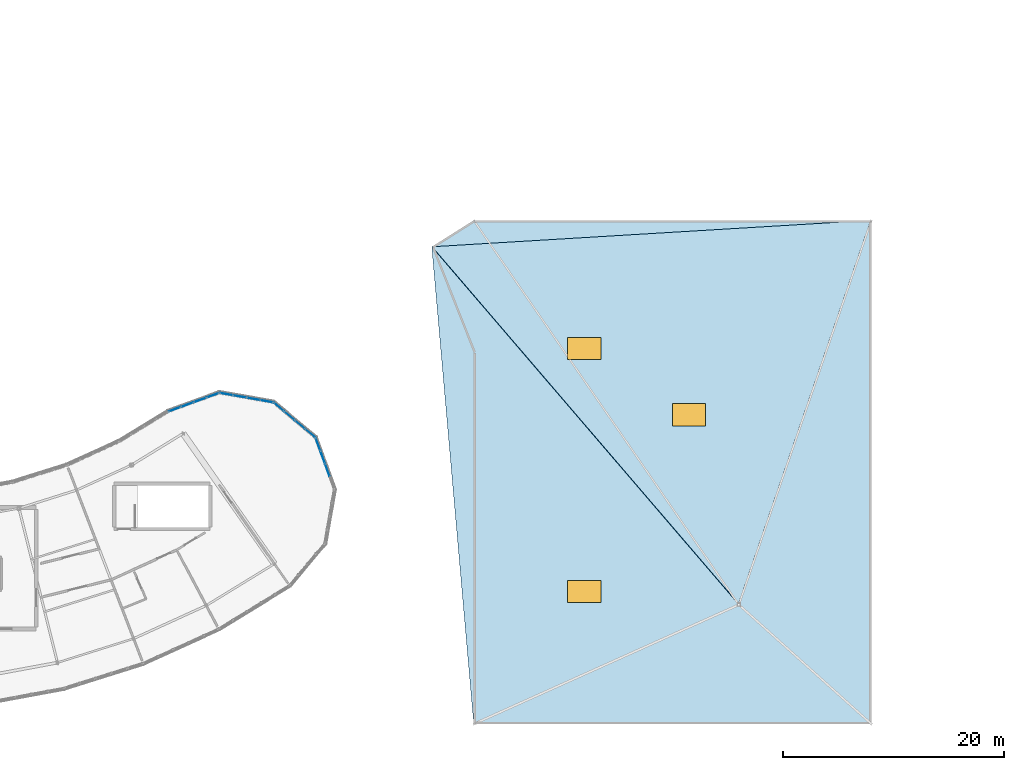
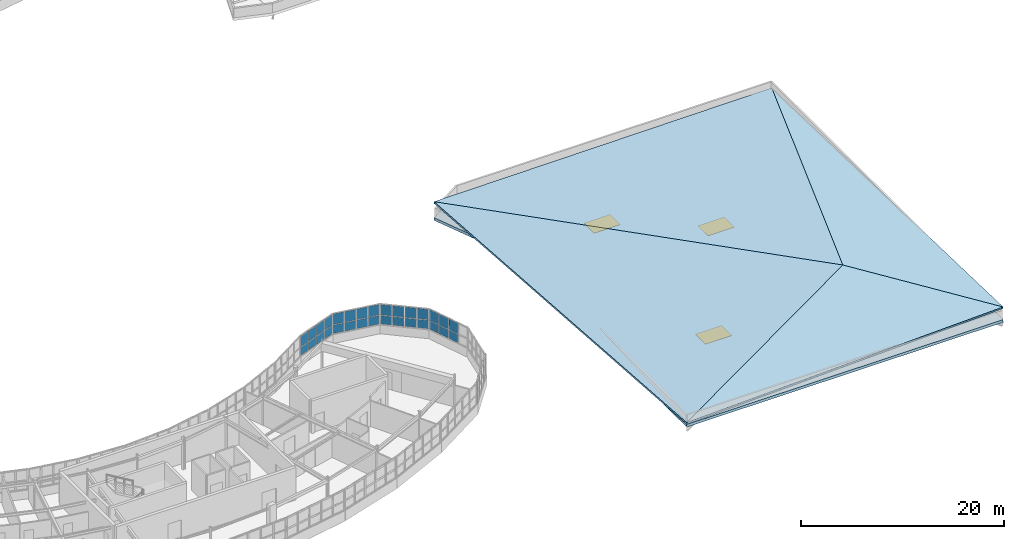
# One storey, part 50 of 79: 30 plates, 5 slabs, 3 windows, 3 openings, 4 elements without a shape of their own.
"""IFC4 building model written with IfcOpenShell, lengths in metres."""

from ifc_helpers import new_model, si_unit, direction, frame, origin, origin_2d, place, context, subcontext, project, spatial, polyline, rectangle, outline, extrude, material, layer, layer_set, type_object, element, fill, aggregate, save


model = new_model("IFC4")

# Units and contexts
model_context = context("Model", 3, precision=1e-05, world=origin(), true_north=direction((0.0, 1.0)))
body_context = subcontext(model_context, "Body", "Model", "MODEL_VIEW")
ifc_project = project(units=[si_unit("LENGTHUNIT", "METRE"), si_unit("AREAUNIT", "SQUARE_METRE"), si_unit("VOLUMEUNIT", "CUBIC_METRE"), si_unit("PLANEANGLEUNIT", "RADIAN"), si_unit("MASSUNIT", "GRAM", prefix="KILO")], contexts=[model_context])

# Site, building, storey
site_placement = place(None, origin())
site = spatial("IfcSite", under=ifc_project, at=site_placement, CompositionType="ELEMENT")
building_placement = place(site_placement, origin())
building = spatial("IfcBuilding", under=site, at=building_placement, Name="Tarnwether General Hospital", CompositionType="ELEMENT")
storey_placement = place(building_placement, frame((0.0, 0.0, 18.300048828125)))
storey = spatial("IfcBuildingStorey", under=building, at=storey_placement, Name="L04", CompositionType="ELEMENT", Elevation=18.300048828125)

# Curtain wall, plates
ifc_material_1 = material(Name="Anodised aluminium", Category="aluminium")
ifc_layer_1 = layer(ifc_material_1, 0.159912109375)
ifc_layer_set_1 = layer_set([ifc_layer_1], Name="Anodised aluminium")
curtain_wall_type = type_object("IfcCurtainWallType", Name="CW-03", PredefinedType="NOTDEFINED", material=ifc_layer_set_1)
curtain_wall_1_placement = place(storey_placement, origin())
curtain_wall_1 = element("IfcCurtainWall", 1, at=curtain_wall_1_placement, inside=storey, type_object=curtain_wall_type, Name="Curtain Wall CWG-L04-1259_291-0199", PredefinedType="NOTDEFINED")
ifc_material_2 = material(Name="Double glazed low-E glass", Category="glass")
ifc_layer_2 = layer(ifc_material_2, 0.028076171875)
ifc_layer_set_2 = layer_set([ifc_layer_2], Name="Double glazed low-E glass")
plate_type_1 = type_object("IfcPlateType", Name="PT-CWP1", PredefinedType="CURTAIN_PANEL", material=ifc_layer_set_2)
plate_1_placement = place(storey_placement, frame((126.372314453125, 28.6943359375, 1.1201171875), z_axis=(0.0, 0.0, 1.0), x_axis=(0.765990176896, -0.64285227611, 0.0)))
plate_1 = element("IfcPlate", 2, at=plate_1_placement, type_object=plate_type_1, Name="CW-03 panel 1.1", PredefinedType="CURTAIN_PANEL", context=body_context, shape_type="SweptSolid", body=[
    extrude(rectangle(XDim=1.137451171875, YDim=0.028076171875, at=origin_2d()), origin(), (0.0, 0.0, 1.0), 1.015380859375),
])
plate_2_placement = place(storey_placement, frame((126.372314453125, 28.6943359375, 2.20556640625), z_axis=(0.0, 0.0, 1.0), x_axis=(0.765990176896, -0.64285227611, 0.0)))
plate_2 = element("IfcPlate", 3, at=plate_2_placement, type_object=plate_type_1, Name="CW-03 panel 1.2", PredefinedType="CURTAIN_PANEL", context=body_context, shape_type="SweptSolid", body=[
    extrude(rectangle(XDim=1.137451171875, YDim=0.028076171875, at=origin_2d()), origin(), (0.0, 0.0, 1.0), 1.264404296875),
])
plate_3_placement = place(storey_placement, frame((127.310546875, 27.906982421875, 1.1201171875), z_axis=(0.0, 0.0, 1.0), x_axis=(0.765990176896, -0.64285227611, 0.0)))
plate_3 = element("IfcPlate", 4, at=plate_3_placement, type_object=plate_type_1, Name="CW-03 panel 2.1", PredefinedType="CURTAIN_PANEL", context=body_context, shape_type="SweptSolid", body=[
    extrude(rectangle(XDim=1.172607421875, YDim=0.028076171875, at=origin_2d()), origin(), (0.0, 0.0, 1.0), 1.015380859375),
])
plate_4_placement = place(storey_placement, frame((127.310546875, 27.906982421875, 2.20556640625), z_axis=(0.0, 0.0, 1.0), x_axis=(0.765990176896, -0.64285227611, 0.0)))
plate_4 = element("IfcPlate", 5, at=plate_4_placement, type_object=plate_type_1, Name="CW-03 panel 2.2", PredefinedType="CURTAIN_PANEL", context=body_context, shape_type="SweptSolid", body=[
    extrude(rectangle(XDim=1.172607421875, YDim=0.028076171875, at=origin_2d()), origin(), (0.0, 0.0, 1.0), 1.264404296875),
])
plate_5_placement = place(storey_placement, frame((128.262451171875, 27.108154296875, 1.1201171875), z_axis=(0.0, 0.0, 1.0), x_axis=(0.765990176896, -0.64285227611, 0.0)))
plate_5 = element("IfcPlate", 6, at=plate_5_placement, type_object=plate_type_1, Name="CW-03 panel 3.1", PredefinedType="CURTAIN_PANEL", context=body_context, shape_type="SweptSolid", body=[
    extrude(rectangle(XDim=1.172607421875, YDim=0.028076171875, at=origin_2d()), origin(), (0.0, 0.0, 1.0), 1.015380859375),
])
plate_6_placement = place(storey_placement, frame((128.262451171875, 27.108154296875, 2.20556640625), z_axis=(0.0, 0.0, 1.0), x_axis=(0.765990176896, -0.64285227611, 0.0)))
plate_6 = element("IfcPlate", 7, at=plate_6_placement, type_object=plate_type_1, Name="CW-03 panel 3.2", PredefinedType="CURTAIN_PANEL", context=body_context, shape_type="SweptSolid", body=[
    extrude(rectangle(XDim=1.172607421875, YDim=0.028076171875, at=origin_2d()), origin(), (0.0, 0.0, 1.0), 1.264404296875),
])
plate_7_placement = place(storey_placement, frame((129.20068359375, 26.320556640625, 1.1201171875), z_axis=(0.0, 0.0, 1.0), x_axis=(0.765990176896, -0.64285227611, 0.0)))
plate_7 = element("IfcPlate", 8, at=plate_7_placement, type_object=plate_type_1, Name="CW-03 panel 4.1", PredefinedType="CURTAIN_PANEL", context=body_context, shape_type="SweptSolid", body=[
    extrude(rectangle(XDim=1.137451171875, YDim=0.028076171875, at=origin_2d()), origin(), (0.0, 0.0, 1.0), 1.015380859375),
])
plate_8_placement = place(storey_placement, frame((129.20068359375, 26.320556640625, 2.20556640625), z_axis=(0.0, 0.0, 1.0), x_axis=(0.765990176896, -0.64285227611, 0.0)))
plate_8 = element("IfcPlate", 9, at=plate_8_placement, type_object=plate_type_1, Name="CW-03 panel 4.2", PredefinedType="CURTAIN_PANEL", context=body_context, shape_type="SweptSolid", body=[
    extrude(rectangle(XDim=1.137451171875, YDim=0.028076171875, at=origin_2d()), origin(), (0.0, 0.0, 1.0), 1.264404296875),
])
aggregate(curtain_wall_1, [plate_1, plate_2, plate_3, plate_4, plate_5, plate_6, plate_7, plate_8])

curtain_wall_2_placement = place(storey_placement, origin())
curtain_wall_2 = element("IfcCurtainWall", 10, at=curtain_wall_2_placement, inside=storey, type_object=curtain_wall_type, Name="Curtain Wall CWG-L04-1210_300-0200", PredefinedType="NOTDEFINED")
plate_9_placement = place(storey_placement, frame((121.61669921875, 29.857421875, 1.114990234375), z_axis=(0.0, 0.0, 1.0), x_axis=(0.984805834268, -0.173659059054, 0.0)))
plate_9 = element("IfcPlate", 11, at=plate_9_placement, type_object=plate_type_1, Name="CW-03 panel 1.1", PredefinedType="CURTAIN_PANEL", context=body_context, shape_type="SweptSolid", body=[
    extrude(rectangle(XDim=1.144775390625, YDim=0.028076171875, at=origin_2d()), origin(), (0.0, 0.0, 1.0), 1.02294921875),
])
plate_10_placement = place(storey_placement, frame((121.61669921875, 29.857421875, 2.202880859375), z_axis=(0.0, 0.0, 1.0), x_axis=(0.984805834268, -0.173659059054, 0.0)))
plate_10 = element("IfcPlate", 12, at=plate_10_placement, type_object=plate_type_1, Name="CW-03 panel 1.2", PredefinedType="CURTAIN_PANEL", context=body_context, shape_type="SweptSolid", body=[
    extrude(rectangle(XDim=1.144775390625, YDim=0.028076171875, at=origin_2d()), origin(), (0.0, 0.0, 1.0), 1.27197265625),
])
plate_11_placement = place(storey_placement, frame((122.82421875, 29.644287109375, 1.114990234375), z_axis=(0.0, 0.0, 1.0), x_axis=(0.984805834268, -0.173659059054, 0.0)))
plate_11 = element("IfcPlate", 13, at=plate_11_placement, type_object=plate_type_1, Name="CW-03 panel 2.1", PredefinedType="CURTAIN_PANEL", context=body_context, shape_type="SweptSolid", body=[
    extrude(rectangle(XDim=1.177490234375, YDim=0.028076171875, at=origin_2d()), origin(), (0.0, 0.0, 1.0), 1.02294921875),
])
plate_12_placement = place(storey_placement, frame((122.82421875, 29.644287109375, 2.202880859375), z_axis=(0.0, 0.0, 1.0), x_axis=(0.984805834268, -0.173659059054, 0.0)))
plate_12 = element("IfcPlate", 14, at=plate_12_placement, type_object=plate_type_1, Name="CW-03 panel 2.2", PredefinedType="CURTAIN_PANEL", context=body_context, shape_type="SweptSolid", body=[
    extrude(rectangle(XDim=1.177490234375, YDim=0.028076171875, at=origin_2d()), origin(), (0.0, 0.0, 1.0), 1.27197265625),
])
plate_13_placement = place(storey_placement, frame((124.0478515625, 29.4287109375, 1.114990234375), z_axis=(0.0, 0.0, 1.0), x_axis=(0.984805834268, -0.173659059054, 0.0)))
plate_13 = element("IfcPlate", 15, at=plate_13_placement, type_object=plate_type_1, Name="CW-03 panel 3.1", PredefinedType="CURTAIN_PANEL", context=body_context, shape_type="SweptSolid", body=[
    extrude(rectangle(XDim=1.177490234375, YDim=0.028076171875, at=origin_2d()), origin(), (0.0, 0.0, 1.0), 1.02294921875),
])
plate_14_placement = place(storey_placement, frame((124.0478515625, 29.4287109375, 2.202880859375), z_axis=(0.0, 0.0, 1.0), x_axis=(0.984805834268, -0.173659059054, 0.0)))
plate_14 = element("IfcPlate", 16, at=plate_14_placement, type_object=plate_type_1, Name="CW-03 panel 3.2", PredefinedType="CURTAIN_PANEL", context=body_context, shape_type="SweptSolid", body=[
    extrude(rectangle(XDim=1.177490234375, YDim=0.028076171875, at=origin_2d()), origin(), (0.0, 0.0, 1.0), 1.27197265625),
])
plate_15_placement = place(storey_placement, frame((125.255126953125, 29.215576171875, 1.114990234375), z_axis=(0.0, 0.0, 1.0), x_axis=(0.984805834268, -0.173659059054, 0.0)))
plate_15 = element("IfcPlate", 17, at=plate_15_placement, type_object=plate_type_1, Name="CW-03 panel 4.1", PredefinedType="CURTAIN_PANEL", context=body_context, shape_type="SweptSolid", body=[
    extrude(rectangle(XDim=1.144775390625, YDim=0.028076171875, at=origin_2d()), origin(), (0.0, 0.0, 1.0), 1.02294921875),
])
plate_16_placement = place(storey_placement, frame((125.255126953125, 29.215576171875, 2.202880859375), z_axis=(0.0, 0.0, 1.0), x_axis=(0.984805834268, -0.173659059054, 0.0)))
plate_16 = element("IfcPlate", 18, at=plate_16_placement, type_object=plate_type_1, Name="CW-03 panel 4.2", PredefinedType="CURTAIN_PANEL", context=body_context, shape_type="SweptSolid", body=[
    extrude(rectangle(XDim=1.144775390625, YDim=0.028076171875, at=origin_2d()), origin(), (0.0, 0.0, 1.0), 1.27197265625),
])
aggregate(curtain_wall_2, [plate_9, plate_10, plate_11, plate_12, plate_13, plate_14, plate_15, plate_16])

curtain_wall_3_placement = place(storey_placement, origin())
curtain_wall_3 = element("IfcCurtainWall", 19, at=curtain_wall_3_placement, inside=storey, type_object=curtain_wall_type, Name="Curtain Wall CWG-L04-1297_259-0198", PredefinedType="NOTDEFINED")
ifc_material_3 = material(Name="Double glazed low-E glass", Category="glass")
ifc_layer_3 = layer(ifc_material_3, 0.035888671875)
ifc_layer_set_3 = layer_set([ifc_layer_3], Name="Double glazed low-E glass")
plate_type_2 = type_object("IfcPlateType", Name="PT-CWP2", PredefinedType="CURTAIN_PANEL", material=ifc_layer_set_3)
plate_17_placement = place(storey_placement, frame((129.907470703125, 25.312255859375, 1.10986328125), z_axis=(0.0, 0.0, 1.0), x_axis=(0.341953136469, -0.939717006582, 0.0)))
plate_17 = element("IfcPlate", 20, at=plate_17_placement, type_object=plate_type_2, Name="CW-03 panel 1.1", PredefinedType="CURTAIN_PANEL", context=body_context, shape_type="SweptSolid", body=[
    extrude(rectangle(XDim=1.152099609375, YDim=0.035888671875, at=origin_2d()), origin(), (0.0, 0.0, 1.0), 1.030517578125),
])
plate_18_placement = place(storey_placement, frame((129.907470703125, 25.312255859375, 2.2001953125), z_axis=(0.0, 0.0, 1.0), x_axis=(0.341953136469, -0.939717006582, 0.0)))
plate_18 = element("IfcPlate", 21, at=plate_18_placement, type_object=plate_type_2, Name="CW-03 panel 1.2", PredefinedType="CURTAIN_PANEL", context=body_context, shape_type="SweptSolid", body=[
    extrude(rectangle(XDim=1.152099609375, YDim=0.035888671875, at=origin_2d()), origin(), (0.0, 0.0, 1.0), 1.279541015625),
])
plate_19_placement = place(storey_placement, frame((130.3271484375, 24.1591796875, 1.10986328125), z_axis=(0.0, 0.0, 1.0), x_axis=(0.341953136469, -0.939717006582, 0.0)))
plate_19 = element("IfcPlate", 22, at=plate_19_placement, type_object=plate_type_2, Name="CW-03 panel 2.1", PredefinedType="CURTAIN_PANEL", context=body_context, shape_type="SweptSolid", body=[
    extrude(rectangle(XDim=1.18212890625, YDim=0.035888671875, at=origin_2d()), origin(), (0.0, 0.0, 1.0), 1.030517578125),
])
plate_20_placement = place(storey_placement, frame((130.3271484375, 24.1591796875, 2.2001953125), z_axis=(0.0, 0.0, 1.0), x_axis=(0.341953136469, -0.939717006582, 0.0)))
plate_20 = element("IfcPlate", 23, at=plate_20_placement, type_object=plate_type_2, Name="CW-03 panel 2.2", PredefinedType="CURTAIN_PANEL", context=body_context, shape_type="SweptSolid", body=[
    extrude(rectangle(XDim=1.18212890625, YDim=0.035888671875, at=origin_2d()), origin(), (0.0, 0.0, 1.0), 1.279541015625),
])
plate_21_placement = place(storey_placement, frame((130.751953125, 22.991943359375, 1.10986328125), z_axis=(0.0, 0.0, 1.0), x_axis=(0.341953136469, -0.939717006582, 0.0)))
plate_21 = element("IfcPlate", 24, at=plate_21_placement, type_object=plate_type_2, Name="CW-03 panel 3.1", PredefinedType="CURTAIN_PANEL", context=body_context, shape_type="SweptSolid", body=[
    extrude(rectangle(XDim=1.18212890625, YDim=0.035888671875, at=origin_2d()), origin(), (0.0, 0.0, 1.0), 1.030517578125),
])
plate_22_placement = place(storey_placement, frame((130.751953125, 22.991943359375, 2.2001953125), z_axis=(0.0, 0.0, 1.0), x_axis=(0.341953136469, -0.939717006582, 0.0)))
plate_22 = element("IfcPlate", 25, at=plate_22_placement, type_object=plate_type_2, Name="CW-03 panel 3.2", PredefinedType="CURTAIN_PANEL", context=body_context, shape_type="SweptSolid", body=[
    extrude(rectangle(XDim=1.18212890625, YDim=0.035888671875, at=origin_2d()), origin(), (0.0, 0.0, 1.0), 1.279541015625),
])
aggregate(curtain_wall_3, [plate_17, plate_18, plate_19, plate_20, plate_21, plate_22])

curtain_wall_4_placement = place(storey_placement, origin())
curtain_wall_4 = element("IfcCurtainWall", 26, at=curtain_wall_4_placement, inside=storey, type_object=curtain_wall_type, Name="Curtain Wall CWG-L04-1163_283-0201", PredefinedType="NOTDEFINED")
plate_23_placement = place(storey_placement, frame((116.92236328125, 28.4873046875, 1.1298828125), z_axis=(0.0, 0.0, 1.0), x_axis=(0.939652319163, 0.342130850834, 0.0)))
plate_23 = element("IfcPlate", 27, at=plate_23_placement, type_object=plate_type_2, Name="CW-03 panel 1.1", PredefinedType="CURTAIN_PANEL", context=body_context, shape_type="SweptSolid", body=[
    extrude(rectangle(XDim=1.122314453125, YDim=0.035888671875, at=origin_2d()), origin(), (0.0, 0.0, 1.0), 1.00048828125),
])
plate_24_placement = place(storey_placement, frame((116.92236328125, 28.4873046875, 2.21044921875), z_axis=(0.0, 0.0, 1.0), x_axis=(0.939652319163, 0.342130850834, 0.0)))
plate_24 = element("IfcPlate", 28, at=plate_24_placement, type_object=plate_type_2, Name="CW-03 panel 1.2", PredefinedType="CURTAIN_PANEL", context=body_context, shape_type="SweptSolid", body=[
    extrude(rectangle(XDim=1.122314453125, YDim=0.035888671875, at=origin_2d()), origin(), (0.0, 0.0, 1.0), 1.24951171875),
])
plate_25_placement = place(storey_placement, frame((118.07080078125, 28.905517578125, 1.1298828125), z_axis=(0.0, 0.0, 1.0), x_axis=(0.939652319163, 0.342130850834, 0.0)))
plate_25 = element("IfcPlate", 29, at=plate_25_placement, type_object=plate_type_2, Name="CW-03 panel 2.1", PredefinedType="CURTAIN_PANEL", context=body_context, shape_type="SweptSolid", body=[
    extrude(rectangle(XDim=1.162109375, YDim=0.035888671875, at=origin_2d()), origin(), (0.0, 0.0, 1.0), 1.00048828125),
])
plate_26_placement = place(storey_placement, frame((118.07080078125, 28.905517578125, 2.21044921875), z_axis=(0.0, 0.0, 1.0), x_axis=(0.939652319163, 0.342130850834, 0.0)))
plate_26 = element("IfcPlate", 30, at=plate_26_placement, type_object=plate_type_2, Name="CW-03 panel 2.2", PredefinedType="CURTAIN_PANEL", context=body_context, shape_type="SweptSolid", body=[
    extrude(rectangle(XDim=1.162109375, YDim=0.035888671875, at=origin_2d()), origin(), (0.0, 0.0, 1.0), 1.24951171875),
])
plate_27_placement = place(storey_placement, frame((119.238037109375, 29.33056640625, 1.1298828125), z_axis=(0.0, 0.0, 1.0), x_axis=(0.939652319163, 0.342130850834, 0.0)))
plate_27 = element("IfcPlate", 31, at=plate_27_placement, type_object=plate_type_2, Name="CW-03 panel 3.1", PredefinedType="CURTAIN_PANEL", context=body_context, shape_type="SweptSolid", body=[
    extrude(rectangle(XDim=1.162109375, YDim=0.035888671875, at=origin_2d()), origin(), (0.0, 0.0, 1.0), 1.00048828125),
])
plate_28_placement = place(storey_placement, frame((119.238037109375, 29.33056640625, 2.21044921875), z_axis=(0.0, 0.0, 1.0), x_axis=(0.939652319163, 0.342130850834, 0.0)))
plate_28 = element("IfcPlate", 32, at=plate_28_placement, type_object=plate_type_2, Name="CW-03 panel 3.2", PredefinedType="CURTAIN_PANEL", context=body_context, shape_type="SweptSolid", body=[
    extrude(rectangle(XDim=1.162109375, YDim=0.035888671875, at=origin_2d()), origin(), (0.0, 0.0, 1.0), 1.24951171875),
])
plate_29_placement = place(storey_placement, frame((120.386474609375, 29.748779296875, 1.1298828125), z_axis=(0.0, 0.0, 1.0), x_axis=(0.939652319163, 0.342130850834, 0.0)))
plate_29 = element("IfcPlate", 33, at=plate_29_placement, type_object=plate_type_2, Name="CW-03 panel 4.1", PredefinedType="CURTAIN_PANEL", context=body_context, shape_type="SweptSolid", body=[
    extrude(rectangle(XDim=1.122314453125, YDim=0.035888671875, at=origin_2d()), origin(), (0.0, 0.0, 1.0), 1.00048828125),
])
plate_30_placement = place(storey_placement, frame((120.386474609375, 29.748779296875, 2.21044921875), z_axis=(0.0, 0.0, 1.0), x_axis=(0.939652319163, 0.342130850834, 0.0)))
plate_30 = element("IfcPlate", 34, at=plate_30_placement, type_object=plate_type_2, Name="CW-03 panel 4.2", PredefinedType="CURTAIN_PANEL", context=body_context, shape_type="SweptSolid", body=[
    extrude(rectangle(XDim=1.122314453125, YDim=0.035888671875, at=origin_2d()), origin(), (0.0, 0.0, 1.0), 1.24951171875),
])
aggregate(curtain_wall_4, [plate_23, plate_24, plate_25, plate_26, plate_27, plate_28, plate_29, plate_30])

# Slab, openings, windows
ifc_material_4 = material(Name="Concrete 40 MPa", Category="concrete")
ifc_layer_4 = layer(ifc_material_4, 0.330078125)
ifc_layer_set_4 = layer_set([ifc_layer_4], Name="Concrete 40 MPa")
slab_type_1 = type_object("IfcSlabType", Name="SL-RF200", PredefinedType="ROOF", material=ifc_layer_set_4)
slab_1_placement = place(storey_placement, origin())
slab_1 = element("IfcSlab", 35, at=slab_1_placement, inside=storey, type_object=slab_type_1, Name="L04 Outpatient South Shard Roof Deck SL-L04-V6SRF", PredefinedType="ROOF", context=body_context, shape_type="SweptSolid", body=[
    extrude(outline(polyline([(144.0, 0.0), (144.0, 33.60009765625), (140.199951171875, 43.199951171875), (144.0, 45.60009765625), (180.0, 45.60009765625), (180.0, 0.0), (144.0, 0.0)])), origin(), (0.0, 0.0, 1.0), 0.329833984375),
])
opening_1_placement = place(slab_1_placement, frame((154.0, 12.0, 0.0)))
opening_1 = element("IfcOpeningElement", 36, at=opening_1_placement, cuts=slab_1, Name="Opening SK-02", PredefinedType="OPENING", context=body_context, shape_type="SweptSolid", body=[
    extrude(rectangle(XDim=3.0, YDim=2.0, at=origin_2d()), origin(), (0.0, 0.0, 1.0), 0.329833984375),
])
opening_2_placement = place(slab_1_placement, frame((163.5, 28.0, 0.0)))
opening_2 = element("IfcOpeningElement", 37, at=opening_2_placement, cuts=slab_1, Name="Opening SK-02", PredefinedType="OPENING", context=body_context, shape_type="SweptSolid", body=[
    extrude(rectangle(XDim=3.0, YDim=2.0, at=origin_2d()), origin(), (0.0, 0.0, 1.0), 0.329833984375),
])
opening_3_placement = place(slab_1_placement, frame((154.0, 34.0, 0.0)))
opening_3 = element("IfcOpeningElement", 38, at=opening_3_placement, cuts=slab_1, Name="Opening SK-02", PredefinedType="OPENING", context=body_context, shape_type="SweptSolid", body=[
    extrude(rectangle(XDim=3.0, YDim=2.0, at=origin_2d()), origin(), (0.0, 0.0, 1.0), 0.329833984375),
])
ifc_material_5 = material(Name="Double glazed low-E glass", Category="glass")
window_type = type_object("IfcWindowType", Name="WN-SK2", PartitioningType="DOUBLE_PANEL_VERTICAL", PredefinedType="SKYLIGHT", material=ifc_material_5)
window_1_placement = place(opening_1_placement, frame((0.0, 0.0, 0.27978515625)))
window_1 = element("IfcWindow", 39, at=window_1_placement, inside=storey, type_object=window_type, Name="Flat Roof Skylight 004", OverallHeight=2.0, OverallWidth=3.0, PartitioningType="SINGLE_PANEL", PredefinedType="SKYLIGHT", context=body_context, shape_type="SweptSolid", body=[
    extrude(rectangle(XDim=3.0, YDim=2.0, at=origin_2d()), origin(), (0.0, 0.0, 1.0), 0.050048828125),
])
fill(opening_1, window_1)
window_2_placement = place(opening_2_placement, frame((0.0, 0.0, 0.27978515625)))
window_2 = element("IfcWindow", 40, at=window_2_placement, inside=storey, type_object=window_type, Name="Flat Roof Skylight 005", OverallHeight=2.0, OverallWidth=3.0, PartitioningType="SINGLE_PANEL", PredefinedType="SKYLIGHT", context=body_context, shape_type="SweptSolid", body=[
    extrude(rectangle(XDim=3.0, YDim=2.0, at=origin_2d()), origin(), (0.0, 0.0, 1.0), 0.050048828125),
])
fill(opening_2, window_2)
window_3_placement = place(opening_3_placement, frame((0.0, 0.0, 0.27978515625)))
window_3 = element("IfcWindow", 41, at=window_3_placement, inside=storey, type_object=window_type, Name="Flat Roof Skylight 006", OverallHeight=2.0, OverallWidth=3.0, PartitioningType="SINGLE_PANEL", PredefinedType="SKYLIGHT", context=body_context, shape_type="SweptSolid", body=[
    extrude(rectangle(XDim=3.0, YDim=2.0, at=origin_2d()), origin(), (0.0, 0.0, 1.0), 0.050048828125),
])
fill(opening_3, window_3)

# Slabs
ifc_material_6 = material(Name="Concrete 40 MPa", Category="concrete")
ifc_layer_5 = layer(ifc_material_6, 0.260009765625)
ifc_layer_set_5 = layer_set([ifc_layer_5], Name="Concrete 40 MPa")
slab_type_2 = type_object("IfcSlabType", Name="SL-RF260", PredefinedType="ROOF", material=ifc_layer_set_5)
slab_2_placement = place(storey_placement, frame((144.0, 0.0, 0.550048828125), z_axis=(-0.034654879249, -0.27847596583, 0.959817782602), x_axis=(0.999348826321, 0.0, 0.036082174692)))
element("IfcSlab", 42, at=slab_2_placement, inside=storey, type_object=slab_type_2, Name="Outpatient South Origami Roof Shard South", PredefinedType="ROOF", context=body_context, shape_type="SweptSolid", body=[
    extrude(outline(polyline([(0.0, 0.0), (36.023457527361906, -5.551115123125783e-17), (24.128700530474976, 11.244859510040161), (0.0, 0.0)])), origin(), (0.0, 0.0, -1.0), 0.260009765625),
])
slab_3_placement = place(storey_placement, frame((180.0, 0.0, 1.849853515625), z_axis=(0.243054698912, 0.027638427723, 0.96961875531), x_axis=(0.0, 0.999593996193, -0.02849285481)))
element("IfcSlab", 43, at=slab_3_placement, inside=storey, type_object=slab_type_2, Name="Outpatient South Origami Roof Shard East", PredefinedType="ROOF", context=body_context, shape_type="SweptSolid", body=[
    extrude(outline(polyline([(0.0, 0.0), (45.618618989237106, 0.0), (10.718727694185132, 12.370973528119762), (0.0, 0.0)])), origin(), (0.0, 0.0, -1.0), 0.260009765625),
])
slab_4_placement = place(storey_placement, frame((180.0, 45.60009765625, 0.550048828125), z_axis=(0.036326666668, 0.101743215651, 0.994147218151), x_axis=(-0.997280609792, -0.060141120928, 0.042596137221)))
element("IfcSlab", 44, at=slab_4_placement, inside=storey, type_object=slab_type_2, Name="Outpatient South Origami Roof Shard North", PredefinedType="ROOF", context=body_context, shape_type="SweptSolid", body=[
    extrude(outline(polyline([(0.0, 0.0), (39.90857581841717, -1.1102230246251565e-16), (14.230665811276937, 34.18379073490297), (0.0, 0.0)])), origin(), (0.0, 0.0, -1.0), 0.260009765625),
])
slab_5_placement = place(storey_placement, frame((140.199951171875, 43.199951171875, 2.25), z_axis=(-0.141651003868, -0.051361726853, 0.988583312684), x_axis=(0.087558589619, -0.995388998224, -0.039169319596)))
element("IfcSlab", 45, at=slab_5_placement, inside=storey, type_object=slab_type_2, Name="Outpatient South Origami Roof Shard West", PredefinedType="ROOF", context=body_context, shape_type="SweptSolid", body=[
    extrude(outline(polyline([(0.0, 0.0), (43.40006896694149, 4.163336342344337e-16), (34.59454805561613, 25.121780513532396), (0.0, 0.0)])), origin(), (0.0, 0.0, -1.0), 0.260009765625),
])

save(model, "model.ifc")
